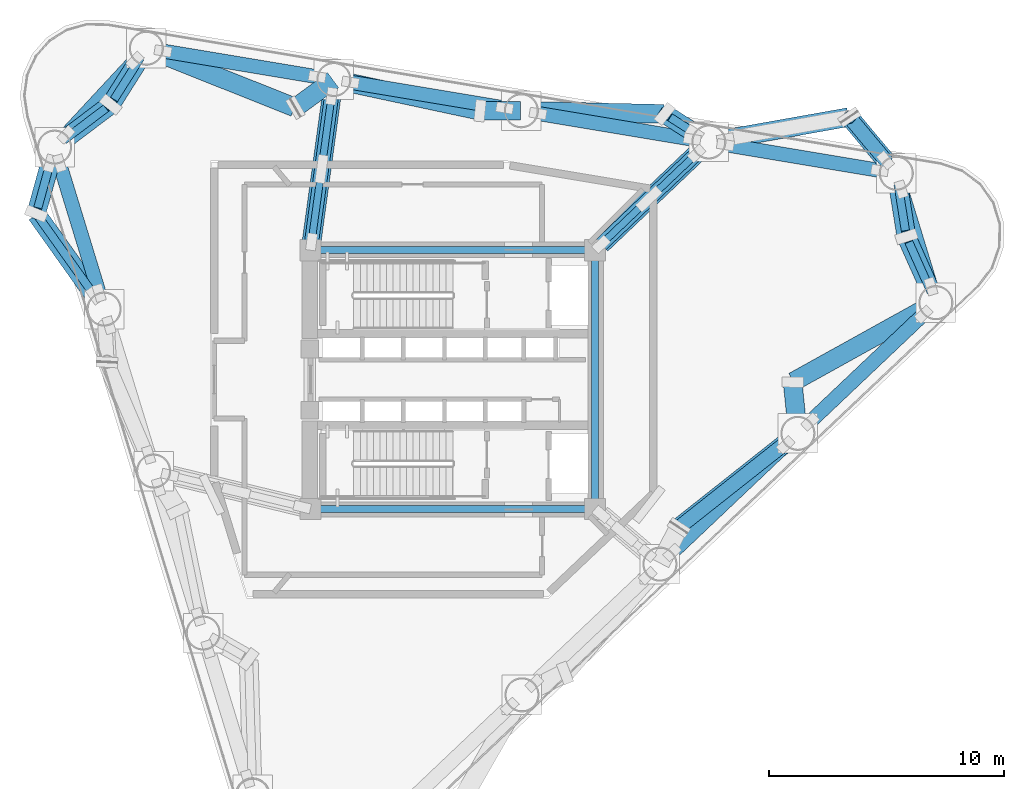
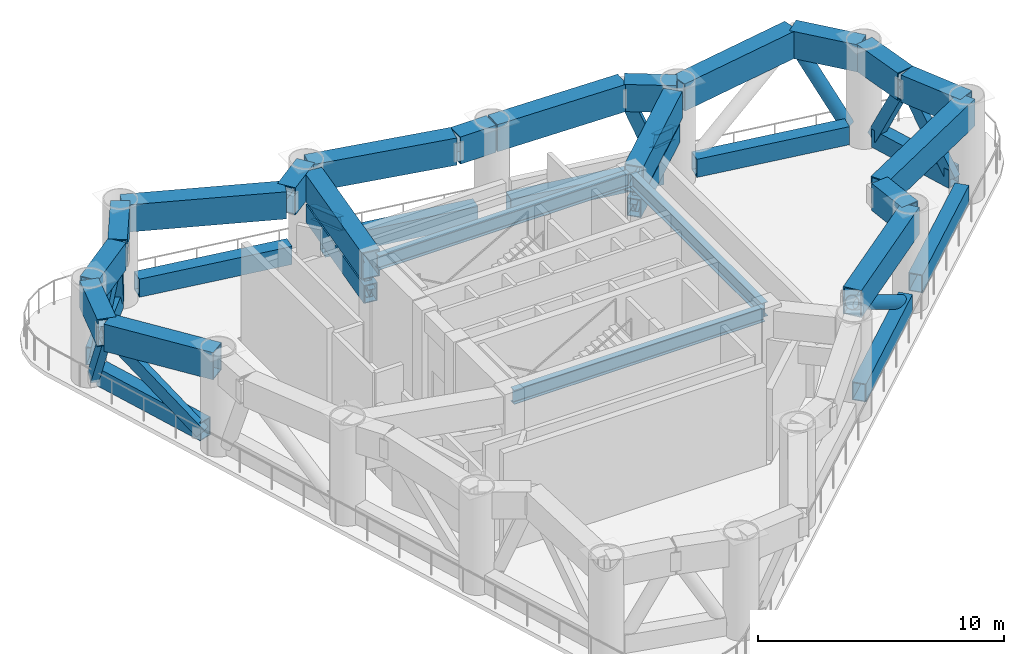
# One storey, part 2 of 8: 24 members, 22 beams.
"""IFC4 building model written with IfcOpenShell, lengths in metres."""

from ifc_helpers import new_model, si_unit, direction, frame, origin, origin_2d, place, context, subcontext, project, spatial, hollow_rectangle, hollow_circle, i_section, extrude, source, transform, mapped, material, material_profile, profile_set, type_object, element, save


model = new_model("IFC4")

# Units and contexts
model_context = context("Model", 3, precision=1e-05, world=origin(), true_north=direction((0.0, 1.0)))
body_context = subcontext(model_context, "Body", "Model", "MODEL_VIEW")
ifc_project = project(units=[si_unit("LENGTHUNIT", "METRE"), si_unit("AREAUNIT", "SQUARE_METRE"), si_unit("VOLUMEUNIT", "CUBIC_METRE"), si_unit("PLANEANGLEUNIT", "RADIAN"), si_unit("MASSUNIT", "GRAM", prefix="KILO")], contexts=[model_context])

# Site, building, storey
site_placement = place(None, origin())
site = spatial("IfcSite", under=ifc_project, at=site_placement, CompositionType="ELEMENT")
building_placement = place(site_placement, origin())
building = spatial("IfcBuilding", under=site, at=building_placement, Name="Yunling Apex Tower", CompositionType="ELEMENT")
storey_placement = place(building_placement, frame((0.0, 0.0, 119.89990234375)))
storey = spatial("IfcBuildingStorey", under=building, at=storey_placement, Name="RF3", CompositionType="ELEMENT", Elevation=119.89990234375)

# Beams
ifc_material_1 = material(Name="Steel Q355B", Category="steel")
ifc_material_profile_1 = material_profile(ifc_material_1, i_section(OverallWidth=0.300048828125, OverallDepth=0.699951171875, WebThickness=0.012939453125, FlangeThickness=0.02392578125, FilletRadius=0.02587890625, at=origin_2d()))
ifc_profile_set_1 = profile_set([ifc_material_profile_1], Name="Steel Q355B")
beam_type_1 = type_object("IfcBeamType", Name="BG-PRI-3", PredefinedType="USERDEFINED", material=ifc_profile_set_1)
shared_shape_1 = source(origin(), body_context, "Body", "SweptSolid", [
    extrude(i_section(OverallWidth=0.300048828125, OverallDepth=0.699951171875, WebThickness=0.012939453125, FlangeThickness=0.02392578125, FilletRadius=0.02587890625, at=origin_2d()), origin(), (0.0, 0.0, 1.0), 11.7998046875),
])
for number, where, z_axis, x_axis, name in (
    (1, (-5.89990234375, -5.5, 4.570068359375), (1.0, 0.0, 0.0), (0.0, 1.0, 0.0), "RF3 Core Ring Tie Beam 1"),
    (2, (5.89990234375, 5.5, 4.570068359375), (-1.0, 0.0, 0.0), (0.0, -1.0, 0.0), "RF3 Core Ring Tie Beam 3"),
):
    element("IfcBeam", number, at=place(storey_placement, frame(where, z_axis=z_axis, x_axis=x_axis)), inside=storey, type_object=beam_type_1, Name=name, ObjectType="GIRDER", PredefinedType="USERDEFINED", context=body_context, shape_type="MappedRepresentation", body=[
        mapped(shared_shape_1, transform((0.0, 0.0, 0.0), scale=1.0)),
    ])
shared_shape_2 = source(origin(), body_context, "Body", "SweptSolid", [
    extrude(i_section(OverallWidth=0.300048828125, OverallDepth=0.699951171875, WebThickness=0.012939453125, FlangeThickness=0.02392578125, FilletRadius=0.02587890625, at=origin_2d()), origin(), (0.0, 0.0, 1.0), 10.7001953125),
])
beam_1_placement = place(storey_placement, frame((6.050048828125, -5.35009765625, 4.570068359375), z_axis=(0.0, 1.0, 0.0), x_axis=(-1.0, 0.0, 0.0)))
element("IfcBeam", 3, at=beam_1_placement, inside=storey, type_object=beam_type_1, Name="RF3 Core Ring Tie Beam 2", ObjectType="GIRDER", PredefinedType="USERDEFINED", context=body_context, shape_type="MappedRepresentation", body=[
    mapped(shared_shape_2, transform((0.0, 0.0, 0.0), scale=1.0)),
])

# Members
ifc_material_profile_2 = material_profile(ifc_material_1, hollow_circle(Radius=0.304931640625, WallThickness=0.02392578125, at=origin_2d()))
ifc_profile_set_2 = profile_set([ifc_material_profile_2], Name="Steel Q355B")
member_type_1 = type_object("IfcMemberType", Name="BR-PER-1", PredefinedType="BRACE", material=ifc_profile_set_2)
shared_shape_3 = source(origin(), body_context, "Body", "SweptSolid", [
    extrude(hollow_circle(Radius=0.304931640625, WallThickness=0.02392578125, at=origin_2d()), origin(), (0.0, 0.0, 1.0), 4.395263671875),
])
member_1_placement = place(storey_placement, frame((18.39697265625, 9.32177734375, 0.550048828125), z_axis=(-0.34717074726, 0.41554949764, 0.840708681565), x_axis=(-0.767421881123, -0.641142461839, 0.0)))
element("IfcMember", 4, at=member_1_placement, inside=storey, type_object=member_type_1, Name="RF3 Belt-Truss Diagonal 6-1", PredefinedType="BRACE", context=body_context, shape_type="MappedRepresentation", body=[
    mapped(shared_shape_3, transform((0.0, 0.0, 0.0), scale=1.0)),
])
ifc_material_2 = material(Name="Steel Q390GJC", Category="steel")
ifc_material_profile_3 = material_profile(ifc_material_2, hollow_rectangle(XDim=0.60009765625, YDim=0.89990234375, WallThickness=0.0419921875, at=origin_2d()))
ifc_profile_set_3 = profile_set([ifc_material_profile_3], Name="Steel Q390GJC")
member_type_2 = type_object("IfcMemberType", Name="BT-CHD-1", PredefinedType="CHORD", material=ifc_profile_set_3)
shared_shape_4 = source(origin(), body_context, "Body", "SweptSolid", [
    extrude(hollow_rectangle(XDim=0.60009765625, YDim=0.89990234375, WallThickness=0.0419921875, at=origin_2d()), origin(), (0.0, 0.0, 1.0), 6.645751953125),
])
for number, where, z_axis, x_axis, name in (
    (5, (9.32861328125, -7.3515625, 0.550048828125), (0.725844556289, 0.68785876465, 0.0), (-0.68785876465, 0.725844556289, 0.0), "RF3 Belt-Truss Bottom Chord 3"),
    (6, (15.193115234375, -1.7939453125, 0.550048828125), (0.725861937572, 0.687840423052, 0.0), (-0.687840423052, 0.725861937572, 0.0), "RF3 Belt-Truss Bottom Chord 4"),
    (7, (18.14794921875, 8.890869140625, 0.550048828125), (-0.986400873023, 0.164357286727, 0.0), (-0.164357286727, -0.986400873023, 0.0), "RF3 Belt-Truss Bottom Chord 6"),
    (8, (10.177978515625, 10.21875, 0.550048828125), (-0.986394916676, 0.164393030134, 0.0), (-0.164393030134, -0.986394916676, 0.0), "RF3 Belt-Truss Bottom Chord 7"),
    (9, (-5.76171875, 12.874755859375, 0.550048828125), (-0.986394916676, 0.164393030134, 0.0), (-0.164393030134, -0.986394916676, 0.0), "RF3 Belt-Truss Bottom Chord 9"),
):
    element("IfcMember", number, at=place(storey_placement, frame(where, z_axis=z_axis, x_axis=x_axis)), inside=storey, type_object=member_type_2, Name=name, PredefinedType="CHORD", context=body_context, shape_type="MappedRepresentation", body=[
        mapped(shared_shape_4, transform((0.0, 0.0, 0.0), scale=1.0)),
    ])
shared_shape_5 = source(origin(), body_context, "Body", "SweptSolid", [
    extrude(hollow_rectangle(XDim=0.60009765625, YDim=0.89990234375, WallThickness=0.0419921875, at=origin_2d()), origin(), (0.0, 0.0, 1.0), 4.31982421875),
])
member_2_placement = place(storey_placement, frame((20.327880859375, 3.956298828125, 0.550048828125), z_axis=(-0.29240949282, 0.956293202166, 0.0), x_axis=(-0.956293202166, -0.29240949282, 0.0)))
element("IfcMember", 10, at=member_2_placement, inside=storey, type_object=member_type_2, Name="RF3 Belt-Truss Bottom Chord 5", PredefinedType="CHORD", context=body_context, shape_type="MappedRepresentation", body=[
    mapped(shared_shape_5, transform((0.0, 0.0, 0.0), scale=1.0)),
])
shared_shape_6 = source(origin(), body_context, "Body", "SweptSolid", [
    extrude(hollow_rectangle(XDim=0.60009765625, YDim=0.89990234375, WallThickness=0.0419921875, at=origin_2d()), origin(), (0.0, 0.0, 1.0), 6.64599609375),
])
member_3_placement = place(storey_placement, frame((2.208251953125, 11.546875, 0.550048828125), z_axis=(-0.986401865332, 0.164351331204, 0.0), x_axis=(-0.164351331204, -0.986401865332, 0.0)))
element("IfcMember", 11, at=member_3_placement, inside=storey, type_object=member_type_2, Name="RF3 Belt-Truss Bottom Chord 8", PredefinedType="CHORD", context=body_context, shape_type="MappedRepresentation", body=[
    mapped(shared_shape_6, transform((0.0, 0.0, 0.0), scale=1.0)),
])
shared_shape_7 = source(origin(), body_context, "Body", "SweptSolid", [
    extrude(hollow_rectangle(XDim=0.60009765625, YDim=0.89990234375, WallThickness=0.0419921875, at=origin_2d()), origin(), (0.0, 0.0, 1.0), 4.301025390625),
])
member_4_placement = place(storey_placement, frame((-13.51220703125, 13.559814453125, 0.550048828125), z_axis=(-0.680631783643, -0.732625671878, 0.0), x_axis=(0.732625671878, -0.680631783643, 0.0)))
element("IfcMember", 12, at=member_4_placement, inside=storey, type_object=member_type_2, Name="RF3 Belt-Truss Bottom Chord 10", PredefinedType="CHORD", context=body_context, shape_type="MappedRepresentation", body=[
    mapped(shared_shape_7, transform((0.0, 0.0, 0.0), scale=1.0)),
])
shared_shape_8 = source(origin(), body_context, "Body", "SweptSolid", [
    extrude(hollow_rectangle(XDim=0.60009765625, YDim=0.89990234375, WallThickness=0.0419921875, at=origin_2d()), origin(), (0.0, 0.0, 1.0), 5.76611328125),
])
member_5_placement = place(storey_placement, frame((-16.718017578125, 9.197509765625, 0.550048828125), z_axis=(0.292401396878, -0.956295677656, 0.0), x_axis=(0.956295677656, 0.292401396878, 0.0)))
element("IfcMember", 13, at=member_5_placement, inside=storey, type_object=member_type_2, Name="RF3 Belt-Truss Bottom Chord 11", PredefinedType="CHORD", context=body_context, shape_type="MappedRepresentation", body=[
    mapped(shared_shape_8, transform((0.0, 0.0, 0.0), scale=1.0)),
])

# Beams
ifc_material_profile_4 = material_profile(ifc_material_2, hollow_rectangle(XDim=0.800048828125, YDim=1.35009765625, WallThickness=0.050048828125, at=origin_2d()))
ifc_profile_set_4 = profile_set([ifc_material_profile_4], Name="Steel Q390GJC")
beam_type_2 = type_object("IfcBeamType", Name="BTRNG-1", PredefinedType="USERDEFINED", material=ifc_profile_set_4)
shared_shape_9 = source(origin(), body_context, "Body", "SweptSolid", [
    extrude(hollow_rectangle(XDim=0.800048828125, YDim=1.35009765625, WallThickness=0.050048828125, at=origin_2d()), origin(), (0.0, 0.0, 1.0), 6.372802734375),
])
beam_2_placement = place(storey_placement, frame((9.64208984375, -6.264404296875, 4.2451171875), z_axis=(0.784455033676, 0.62018569811, 0.0), x_axis=(-0.62018569811, 0.784455033676, 0.0)))
element("IfcBeam", 14, at=beam_2_placement, inside=storey, type_object=beam_type_2, Name="RF3 Panel-Split Box Ring Transfer Girder 12", ObjectType="GIRDER", PredefinedType="USERDEFINED", context=body_context, shape_type="MappedRepresentation", body=[
    mapped(shared_shape_9, transform((0.0, 0.0, 0.0), scale=1.0)),
])
shared_shape_10 = source(origin(), body_context, "Body", "SweptSolid", [
    extrude(hollow_rectangle(XDim=0.800048828125, YDim=1.35009765625, WallThickness=0.050048828125, at=origin_2d()), origin(), (0.0, 0.0, 1.0), 2.112060546875),
])
beam_3_placement = place(storey_placement, frame((14.668701171875, -2.247314453125, 4.2451171875), z_axis=(-0.102650681004, 0.994717466263, 0.0), x_axis=(-0.994717466263, -0.102650681004, 0.0)))
element("IfcBeam", 15, at=beam_3_placement, inside=storey, type_object=beam_type_2, Name="RF3 Panel-Split Box Ring Transfer Girder 13", ObjectType="GIRDER", PredefinedType="USERDEFINED", context=body_context, shape_type="MappedRepresentation", body=[
    mapped(shared_shape_10, transform((0.0, 0.0, 0.0), scale=1.0)),
])
shared_shape_11 = source(origin(), body_context, "Body", "SweptSolid", [
    extrude(hollow_rectangle(XDim=0.800048828125, YDim=1.35009765625, WallThickness=0.050048828125, at=origin_2d()), origin(), (0.0, 0.0, 1.0), 6.883544921875),
])
beam_4_placement = place(storey_placement, frame((14.48291015625, -0.08740234375, 4.2451171875), z_axis=(0.874508370858, 0.485010421847, 0.0), x_axis=(-0.485010421847, 0.874508370858, 0.0)))
element("IfcBeam", 16, at=beam_4_placement, inside=storey, type_object=beam_type_2, Name="RF3 Panel-Split Box Ring Transfer Girder 14", ObjectType="GIRDER", PredefinedType="USERDEFINED", context=body_context, shape_type="MappedRepresentation", body=[
    mapped(shared_shape_11, transform((0.0, 0.0, 0.0), scale=1.0)),
])
shared_shape_12 = source(origin(), body_context, "Body", "SweptSolid", [
    extrude(hollow_rectangle(XDim=0.800048828125, YDim=1.35009765625, WallThickness=0.050048828125, at=origin_2d()), origin(), (0.0, 0.0, 1.0), 2.992431640625),
])
beam_5_placement = place(storey_placement, frame((20.521240234375, 3.306884765625, 4.2451171875), z_axis=(-0.40759131672, 0.913164453171, 0.0), x_axis=(-0.913164453171, -0.40759131672, 0.0)))
element("IfcBeam", 17, at=beam_5_placement, inside=storey, type_object=beam_type_2, Name="RF3 Panel-Split Box Ring Transfer Girder 15", ObjectType="GIRDER", PredefinedType="USERDEFINED", context=body_context, shape_type="MappedRepresentation", body=[
    mapped(shared_shape_12, transform((0.0, 0.0, 0.0), scale=1.0)),
])
shared_shape_13 = source(origin(), body_context, "Body", "SweptSolid", [
    extrude(hollow_rectangle(XDim=0.800048828125, YDim=1.35009765625, WallThickness=0.050048828125, at=origin_2d()), origin(), (0.0, 0.0, 1.0), 2.65087890625),
])
beam_6_placement = place(storey_placement, frame((19.27880859375, 6.115478515625, 4.2451171875), z_axis=(-0.157390632171, 0.98753642409, 0.0), x_axis=(-0.98753642409, -0.157390632171, 0.0)))
element("IfcBeam", 18, at=beam_6_placement, inside=storey, type_object=beam_type_2, Name="RF3 Panel-Split Box Ring Transfer Girder 16", ObjectType="GIRDER", PredefinedType="USERDEFINED", context=body_context, shape_type="MappedRepresentation", body=[
    mapped(shared_shape_13, transform((0.0, 0.0, 0.0), scale=1.0)),
])
shared_shape_14 = source(origin(), body_context, "Body", "SweptSolid", [
    extrude(hollow_rectangle(XDim=0.800048828125, YDim=1.35009765625, WallThickness=0.050048828125, at=origin_2d()), origin(), (0.0, 0.0, 1.0), 3.034912109375),
])
beam_7_placement = place(storey_placement, frame((18.82958984375, 8.8037109375, 4.2451171875), z_axis=(-0.641046445551, 0.767502087715, 0.0), x_axis=(-0.767502087715, -0.641046445551, 0.0)))
element("IfcBeam", 19, at=beam_7_placement, inside=storey, type_object=beam_type_2, Name="RF3 Panel-Split Box Ring Transfer Girder 17", ObjectType="GIRDER", PredefinedType="USERDEFINED", context=body_context, shape_type="MappedRepresentation", body=[
    mapped(shared_shape_14, transform((0.0, 0.0, 0.0), scale=1.0)),
])
shared_shape_15 = source(origin(), body_context, "Body", "SweptSolid", [
    extrude(hollow_rectangle(XDim=0.800048828125, YDim=1.35009765625, WallThickness=0.050048828125, at=origin_2d()), origin(), (0.0, 0.0, 1.0), 5.98681640625),
])
beam_8_placement = place(storey_placement, frame((16.819091796875, 11.15673828125, 4.2451171875), z_axis=(-0.984535010115, -0.175187938676, 0.0), x_axis=(0.175187938676, -0.984535010115, 0.0)))
element("IfcBeam", 20, at=beam_8_placement, inside=storey, type_object=beam_type_2, Name="RF3 Panel-Split Box Ring Transfer Girder 18", ObjectType="GIRDER", PredefinedType="USERDEFINED", context=body_context, shape_type="MappedRepresentation", body=[
    mapped(shared_shape_15, transform((0.0, 0.0, 0.0), scale=1.0)),
])
shared_shape_16 = source(origin(), body_context, "Body", "SweptSolid", [
    extrude(hollow_rectangle(XDim=0.800048828125, YDim=1.35009765625, WallThickness=0.050048828125, at=origin_2d()), origin(), (0.0, 0.0, 1.0), 2.1435546875),
])
beam_9_placement = place(storey_placement, frame((10.8515625, 10.12255859375, 4.2451171875), z_axis=(-0.843586445795, 0.536993397046, 0.0), x_axis=(-0.536993397046, -0.843586445795, 0.0)))
element("IfcBeam", 21, at=beam_9_placement, inside=storey, type_object=beam_type_2, Name="RF3 Panel-Split Box Ring Transfer Girder 19", ObjectType="GIRDER", PredefinedType="USERDEFINED", context=body_context, shape_type="MappedRepresentation", body=[
    mapped(shared_shape_16, transform((0.0, 0.0, 0.0), scale=1.0)),
])
shared_shape_17 = source(origin(), body_context, "Body", "SweptSolid", [
    extrude(hollow_rectangle(XDim=0.800048828125, YDim=1.35009765625, WallThickness=0.050048828125, at=origin_2d()), origin(), (0.0, 0.0, 1.0), 6.015625),
])
beam_10_placement = place(storey_placement, frame((8.969482421875, 11.296142578125, 4.2451171875), z_axis=(-0.999759823138, 0.021915657404, 0.0), x_axis=(-0.021915657404, -0.999759823138, 0.0)))
element("IfcBeam", 22, at=beam_10_placement, inside=storey, type_object=beam_type_2, Name="RF3 Panel-Split Box Ring Transfer Girder 20", ObjectType="GIRDER", PredefinedType="USERDEFINED", context=body_context, shape_type="MappedRepresentation", body=[
    mapped(shared_shape_17, transform((0.0, 0.0, 0.0), scale=1.0)),
])
shared_shape_18 = source(origin(), body_context, "Body", "SweptSolid", [
    extrude(hollow_rectangle(XDim=0.800048828125, YDim=1.35009765625, WallThickness=0.050048828125, at=origin_2d()), origin(), (0.0, 0.0, 1.0), 1.675048828125),
])
beam_11_placement = place(storey_placement, frame((2.87548828125, 11.428955078125, 4.2451171875), z_axis=(-0.99999932021, -0.001166009993, 0.0), x_axis=(0.001166009993, -0.99999932021, 0.0)))
element("IfcBeam", 23, at=beam_11_placement, inside=storey, type_object=beam_type_2, Name="RF3 Panel-Split Box Ring Transfer Girder 21", ObjectType="GIRDER", PredefinedType="USERDEFINED", context=body_context, shape_type="MappedRepresentation", body=[
    mapped(shared_shape_18, transform((0.0, 0.0, 0.0), scale=1.0)),
])
shared_shape_19 = source(origin(), body_context, "Body", "SweptSolid", [
    extrude(hollow_rectangle(XDim=0.800048828125, YDim=1.35009765625, WallThickness=0.050048828125, at=origin_2d()), origin(), (0.0, 0.0, 1.0), 6.275634765625),
])
beam_12_placement = place(storey_placement, frame((1.121337890625, 11.435302734375, 4.2451171875), z_axis=(-0.977860446051, 0.209258089565, 0.0), x_axis=(-0.209258089565, -0.977860446051, 0.0)))
element("IfcBeam", 24, at=beam_12_placement, inside=storey, type_object=beam_type_2, Name="RF3 Panel-Split Box Ring Transfer Girder 22", ObjectType="GIRDER", PredefinedType="USERDEFINED", context=body_context, shape_type="MappedRepresentation", body=[
    mapped(shared_shape_19, transform((0.0, 0.0, 0.0), scale=1.0)),
])
shared_shape_20 = source(origin(), body_context, "Body", "SweptSolid", [
    extrude(hollow_rectangle(XDim=0.800048828125, YDim=1.35009765625, WallThickness=0.050048828125, at=origin_2d()), origin(), (0.0, 0.0, 1.0), 1.9462890625),
])
beam_13_placement = place(storey_placement, frame((-5.0869140625, 12.7333984375, 4.2451171875), z_axis=(-0.806277369885, -0.591537659673, 0.0), x_axis=(0.591537659673, -0.806277369885, 0.0)))
element("IfcBeam", 25, at=beam_13_placement, inside=storey, type_object=beam_type_2, Name="RF3 Panel-Split Box Ring Transfer Girder 23", ObjectType="GIRDER", PredefinedType="USERDEFINED", context=body_context, shape_type="MappedRepresentation", body=[
    mapped(shared_shape_20, transform((0.0, 0.0, 0.0), scale=1.0)),
])
shared_shape_21 = source(origin(), body_context, "Body", "SweptSolid", [
    extrude(hollow_rectangle(XDim=0.800048828125, YDim=1.35009765625, WallThickness=0.050048828125, at=origin_2d()), origin(), (0.0, 0.0, 1.0), 6.740966796875),
])
beam_14_placement = place(storey_placement, frame((-6.7255859375, 11.5732421875, 4.2451171875), z_axis=(-0.928860843848, 0.370428849802, 0.0), x_axis=(-0.370428849802, -0.928860843848, 0.0)))
element("IfcBeam", 26, at=beam_14_placement, inside=storey, type_object=beam_type_2, Name="RF3 Panel-Split Box Ring Transfer Girder 24", ObjectType="GIRDER", PredefinedType="USERDEFINED", context=body_context, shape_type="MappedRepresentation", body=[
    mapped(shared_shape_21, transform((0.0, 0.0, 0.0), scale=1.0)),
])
shared_shape_22 = source(origin(), body_context, "Body", "SweptSolid", [
    extrude(hollow_rectangle(XDim=0.800048828125, YDim=1.35009765625, WallThickness=0.050048828125, at=origin_2d()), origin(), (0.0, 0.0, 1.0), 2.7529296875),
])
beam_15_placement = place(storey_placement, frame((-13.045654296875, 14.05126953125, 4.2451171875), z_axis=(-0.534129782481, -0.845402493175, 0.0), x_axis=(0.845402493175, -0.534129782481, 0.0)))
element("IfcBeam", 27, at=beam_15_placement, inside=storey, type_object=beam_type_2, Name="RF3 Panel-Split Box Ring Transfer Girder 25", ObjectType="GIRDER", PredefinedType="USERDEFINED", context=body_context, shape_type="MappedRepresentation", body=[
    mapped(shared_shape_22, transform((0.0, 0.0, 0.0), scale=1.0)),
])
shared_shape_23 = source(origin(), body_context, "Body", "SweptSolid", [
    extrude(hollow_rectangle(XDim=0.800048828125, YDim=1.35009765625, WallThickness=0.050048828125, at=origin_2d()), origin(), (0.0, 0.0, 1.0), 2.916259765625),
])
beam_16_placement = place(storey_placement, frame((-14.5693359375, 11.666015625, 4.2451171875), z_axis=(-0.797733979198, -0.603009534281, 0.0), x_axis=(0.603009534281, -0.797733979198, 0.0)))
element("IfcBeam", 28, at=beam_16_placement, inside=storey, type_object=beam_type_2, Name="RF3 Panel-Split Box Ring Transfer Girder 26", ObjectType="GIRDER", PredefinedType="USERDEFINED", context=body_context, shape_type="MappedRepresentation", body=[
    mapped(shared_shape_23, transform((0.0, 0.0, 0.0), scale=1.0)),
])
shared_shape_24 = source(origin(), body_context, "Body", "SweptSolid", [
    extrude(hollow_rectangle(XDim=0.800048828125, YDim=1.35009765625, WallThickness=0.050048828125, at=origin_2d()), origin(), (0.0, 0.0, 1.0), 2.854248046875),
])
beam_17_placement = place(storey_placement, frame((-16.938232421875, 9.8447265625, 4.2451171875), z_axis=(-0.266192121791, -0.963919993722, 0.0), x_axis=(0.963919993722, -0.266192121791, 0.0)))
element("IfcBeam", 29, at=beam_17_placement, inside=storey, type_object=beam_type_2, Name="RF3 Panel-Split Box Ring Transfer Girder 27", ObjectType="GIRDER", PredefinedType="USERDEFINED", context=body_context, shape_type="MappedRepresentation", body=[
    mapped(shared_shape_24, transform((0.0, 0.0, 0.0), scale=1.0)),
])
shared_shape_25 = source(origin(), body_context, "Body", "SweptSolid", [
    extrude(hollow_rectangle(XDim=0.800048828125, YDim=1.35009765625, WallThickness=0.050048828125, at=origin_2d()), origin(), (0.0, 0.0, 1.0), 4.89892578125),
])
beam_18_placement = place(storey_placement, frame((-17.685302734375, 7.022216796875, 4.2451171875), z_axis=(0.579643671131, -0.814870059898, 0.0), x_axis=(0.814870059898, 0.579643671131, 0.0)))
element("IfcBeam", 30, at=beam_18_placement, inside=storey, type_object=beam_type_2, Name="RF3 Panel-Split Box Ring Transfer Girder 28", ObjectType="GIRDER", PredefinedType="USERDEFINED", context=body_context, shape_type="MappedRepresentation", body=[
    mapped(shared_shape_25, transform((0.0, 0.0, 0.0), scale=1.0)),
])

# Members
shared_shape_26 = source(origin(), body_context, "Body", "SweptSolid", [
    extrude(hollow_circle(Radius=0.304931640625, WallThickness=0.02392578125, at=origin_2d()), origin(), (0.0, 0.0, 1.0), 6.80810546875),
])
member_6_placement = place(storey_placement, frame((14.11181640625, -2.73046875, 0.550048828125), z_axis=(-0.658856402909, -0.520902852482, 0.542741613129), x_axis=(0.620196482321, -0.78444650762, 0.0)))
element("IfcMember", 31, at=member_6_placement, inside=storey, type_object=member_type_1, Name="RF3 Belt-Truss Diagonal 3-1", PredefinedType="BRACE", context=body_context, shape_type="MappedRepresentation", body=[
    mapped(shared_shape_26, transform((0.0, 0.0, 0.0), scale=1.0)),
])
ifc_material_profile_5 = material_profile(ifc_material_1, hollow_rectangle(XDim=0.35009765625, YDim=0.550048828125, WallThickness=0.02587890625, at=origin_2d()))
ifc_profile_set_5 = profile_set([ifc_material_profile_5], Name="Steel Q355B")
member_type_3 = type_object("IfcMemberType", Name="BR-BLT-1", PredefinedType="BRACE", material=ifc_profile_set_5)
shared_shape_27 = source(origin(), body_context, "Body", "SweptSolid", [
    extrude(hollow_rectangle(XDim=0.35009765625, YDim=0.550048828125, WallThickness=0.02587890625, at=origin_2d()), origin(), (0.0, 0.0, 1.0), 4.19970703125),
])
member_7_placement = place(storey_placement, frame((18.9677734375, 8.06689453125, 0.550048828125), z_axis=(0.074816216045, -0.469359851088, 0.879831724822), x_axis=(0.987532816027, 0.15741326904, 0.0)))
element("IfcMember", 32, at=member_7_placement, inside=storey, type_object=member_type_3, Name="RF3 Belt-Truss Diagonal 5-1", PredefinedType="BRACE", context=body_context, shape_type="MappedRepresentation", body=[
    mapped(shared_shape_27, transform((0.0, 0.0, 0.0), scale=1.0)),
])
shared_shape_28 = source(origin(), body_context, "Body", "SweptSolid", [
    extrude(hollow_rectangle(XDim=0.35009765625, YDim=0.550048828125, WallThickness=0.02587890625, at=origin_2d()), origin(), (0.0, 0.0, 1.0), 4.372314453125),
])
member_8_placement = place(storey_placement, frame((20.24609375, 3.92333984375, 0.550048828125), z_axis=(-0.217884675279, 0.488146548255, 0.845126745349), x_axis=(-0.913164265603, -0.407591736946, 0.0)))
element("IfcMember", 33, at=member_8_placement, inside=storey, type_object=member_type_3, Name="RF3 Belt-Truss Diagonal 5-2", PredefinedType="BRACE", context=body_context, shape_type="MappedRepresentation", body=[
    mapped(shared_shape_28, transform((0.0, 0.0, 0.0), scale=1.0)),
])
shared_shape_29 = source(origin(), body_context, "Body", "SweptSolid", [
    extrude(hollow_rectangle(XDim=0.35009765625, YDim=0.550048828125, WallThickness=0.02587890625, at=origin_2d()), origin(), (0.0, 0.0, 1.0), 3.983642578125),
])
member_9_placement = place(storey_placement, frame((10.281982421875, 10.485107421875, 0.550048828125), z_axis=(-0.315196732812, 0.200652168623, 0.927571952385), x_axis=(-0.537013457856, -0.84357367555, 0.0)))
element("IfcMember", 34, at=member_9_placement, inside=storey, type_object=member_type_3, Name="RF3 Belt-Truss Diagonal 7-1", PredefinedType="BRACE", context=body_context, shape_type="MappedRepresentation", body=[
    mapped(shared_shape_29, transform((0.0, 0.0, 0.0), scale=1.0)),
])
shared_shape_30 = source(origin(), body_context, "Body", "SweptSolid", [
    extrude(hollow_rectangle(XDim=0.35009765625, YDim=0.550048828125, WallThickness=0.02587890625, at=origin_2d()), origin(), (0.0, 0.0, 1.0), 4.2490234375),
])
member_10_placement = place(storey_placement, frame((-13.40625, 13.48046875, 0.550048828125), z_axis=(-0.263724929314, -0.417420830384, 0.869602789795), x_axis=(0.845405938167, -0.534124329826, 0.0)))
element("IfcMember", 35, at=member_10_placement, inside=storey, type_object=member_type_3, Name="RF3 Belt-Truss Diagonal 10-1", PredefinedType="BRACE", context=body_context, shape_type="MappedRepresentation", body=[
    mapped(shared_shape_30, transform((0.0, 0.0, 0.0), scale=1.0)),
])
shared_shape_31 = source(origin(), body_context, "Body", "SweptSolid", [
    extrude(hollow_rectangle(XDim=0.35009765625, YDim=0.550048828125, WallThickness=0.02587890625, at=origin_2d()), origin(), (0.0, 0.0, 1.0), 4.33203125),
])
member_11_placement = place(storey_placement, frame((-16.357177734375, 10.314453125, 0.550048828125), z_axis=(0.416370421314, 0.314757553199, 0.852973243988), x_axis=(-0.60303622146, 0.797713805577, 0.0)))
element("IfcMember", 36, at=member_11_placement, inside=storey, type_object=member_type_3, Name="RF3 Belt-Truss Diagonal 10-2", PredefinedType="BRACE", context=body_context, shape_type="MappedRepresentation", body=[
    mapped(shared_shape_31, transform((0.0, 0.0, 0.0), scale=1.0)),
])
shared_shape_32 = source(origin(), body_context, "Body", "SweptSolid", [
    extrude(hollow_rectangle(XDim=0.35009765625, YDim=0.550048828125, WallThickness=0.02587890625, at=origin_2d()), origin(), (0.0, 0.0, 1.0), 4.300048828125),
])
member_12_placement = place(storey_placement, frame((-17.117919921875, 9.194091796875, 0.550048828125), z_axis=(-0.136094730861, -0.492995639576, 0.859321548427), x_axis=(0.963944516328, -0.266103305958, 0.0)))
element("IfcMember", 37, at=member_12_placement, inside=storey, type_object=member_type_3, Name="RF3 Belt-Truss Diagonal 11-1", PredefinedType="BRACE", context=body_context, shape_type="MappedRepresentation", body=[
    mapped(shared_shape_32, transform((0.0, 0.0, 0.0), scale=1.0)),
])
shared_shape_33 = source(origin(), body_context, "Body", "SweptSolid", [
    extrude(hollow_rectangle(XDim=0.35009765625, YDim=0.550048828125, WallThickness=0.02587890625, at=origin_2d()), origin(), (0.0, 0.0, 1.0), 5.62744140625),
])
member_13_placement = place(storey_placement, frame((-15.23681640625, 3.580078125, 0.550048828125), z_axis=(-0.437185305578, 0.614584403971, 0.656623955535), x_axis=(-0.814862946265, -0.579653671432, 0.0)))
element("IfcMember", 38, at=member_13_placement, inside=storey, type_object=member_type_3, Name="RF3 Belt-Truss Diagonal 11-2", PredefinedType="BRACE", context=body_context, shape_type="MappedRepresentation", body=[
    mapped(shared_shape_33, transform((0.0, 0.0, 0.0), scale=1.0)),
])

# Beam
shared_shape_34 = source(origin(), body_context, "Body", "SweptSolid", [
    extrude(hollow_rectangle(XDim=0.800048828125, YDim=1.35009765625, WallThickness=0.050048828125, at=origin_2d()), origin(), (0.0, 0.0, 1.0), 5.599365234375),
])
beam_19_placement = place(storey_placement, frame((6.310791015625, 5.748291015625, 4.2451171875), z_axis=(0.724438562052, 0.689339372016, 0.0), x_axis=(-0.689339372016, 0.724438562052, 0.0)))
element("IfcBeam", 39, at=beam_19_placement, inside=storey, type_object=beam_type_2, Name="RF3 Radial Outrigger Top Girder 3", ObjectType="GIRDER", PredefinedType="USERDEFINED", context=body_context, shape_type="MappedRepresentation", body=[
    mapped(shared_shape_34, transform((0.0, 0.0, 0.0), scale=1.0)),
])

# Members
shared_shape_35 = source(origin(), body_context, "Body", "SweptSolid", [
    extrude(hollow_rectangle(XDim=0.60009765625, YDim=0.89990234375, WallThickness=0.0419921875, at=origin_2d()), origin(), (0.0, 0.0, 1.0), 5.599365234375),
])
member_14_placement = place(storey_placement, frame((6.310791015625, 5.748291015625, 2.820068359375), z_axis=(0.724438562052, 0.689339372016, 0.0), x_axis=(-0.689339372016, 0.724438562052, 0.0)))
element("IfcMember", 40, at=member_14_placement, inside=storey, type_object=member_type_2, Name="RF3 Radial Outrigger Lower Chord 3", PredefinedType="CHORD", context=body_context, shape_type="MappedRepresentation", body=[
    mapped(shared_shape_35, transform((0.0, 0.0, 0.0), scale=1.0)),
])
ifc_material_profile_6 = material_profile(ifc_material_1, i_section(OverallWidth=0.300048828125, OverallDepth=0.590087890625, WebThickness=0.011962890625, FlangeThickness=0.02001953125, FilletRadius=0.02392578125, at=origin_2d()))
ifc_profile_set_6 = profile_set([ifc_material_profile_6], Name="Steel Q355B")
member_type_4 = type_object("IfcMemberType", Name="BR-OUT-1", PredefinedType="BRACE", material=ifc_profile_set_6)
shared_shape_36 = source(origin(), body_context, "Body", "SweptSolid", [
    extrude(i_section(OverallWidth=0.300048828125, OverallDepth=0.590087890625, WebThickness=0.011962890625, FlangeThickness=0.02001953125, FilletRadius=0.02392578125, at=origin_2d()), origin(), (0.0, 0.0, 1.0), 3.1416015625),
])
member_15_placement = place(storey_placement, frame((6.310791015625, 5.748291015625, 2.820068359375), z_axis=(0.645638359364, 0.614320080738, 0.453609906549), x_axis=(-0.689317598511, 0.724459280004, 0.0)))
element("IfcMember", 41, at=member_15_placement, inside=storey, type_object=member_type_4, Name="RF3 Outrigger Inner Diagonal 3A", PredefinedType="BRACE", context=body_context, shape_type="MappedRepresentation", body=[
    mapped(shared_shape_36, transform((0.0, 0.0, 0.0), scale=1.0)),
])
shared_shape_37 = source(origin(), body_context, "Body", "SweptSolid", [
    extrude(i_section(OverallWidth=0.300048828125, OverallDepth=0.590087890625, WebThickness=0.011962890625, FlangeThickness=0.02001953125, FilletRadius=0.02392578125, at=origin_2d()), origin(), (0.0, 0.0, 1.0), 3.141357421875),
])
member_16_placement = place(storey_placement, frame((8.339111328125, 7.67822265625, 4.2451171875), z_axis=(0.645593037618, 0.614350904343, -0.453632666496), x_axis=(-0.689361146274, 0.724417842138, 0.0)))
element("IfcMember", 42, at=member_16_placement, inside=storey, type_object=member_type_4, Name="RF3 Outrigger Outer Diagonal 3B", PredefinedType="BRACE", context=body_context, shape_type="MappedRepresentation", body=[
    mapped(shared_shape_37, transform((0.0, 0.0, 0.0), scale=1.0)),
])

# Beam
shared_shape_38 = source(origin(), body_context, "Body", "SweptSolid", [
    extrude(hollow_rectangle(XDim=0.800048828125, YDim=1.35009765625, WallThickness=0.050048828125, at=origin_2d()), origin(), (0.0, 0.0, 1.0), 6.25),
])
beam_20_placement = place(storey_placement, frame((-6.001220703125, 5.856689453125, 4.2451171875), z_axis=(0.135939424522, 0.990717150786, 0.0), x_axis=(-0.990717150786, 0.135939424522, 0.0)))
element("IfcBeam", 43, at=beam_20_placement, inside=storey, type_object=beam_type_2, Name="RF3 Radial Outrigger Top Girder 4", ObjectType="GIRDER", PredefinedType="USERDEFINED", context=body_context, shape_type="MappedRepresentation", body=[
    mapped(shared_shape_38, transform((0.0, 0.0, 0.0), scale=1.0)),
])

# Members
shared_shape_39 = source(origin(), body_context, "Body", "SweptSolid", [
    extrude(hollow_rectangle(XDim=0.60009765625, YDim=0.89990234375, WallThickness=0.0419921875, at=origin_2d()), origin(), (0.0, 0.0, 1.0), 6.25),
])
member_17_placement = place(storey_placement, frame((-6.001220703125, 5.856689453125, 2.820068359375), z_axis=(0.135939424522, 0.990717150786, 0.0), x_axis=(-0.990717150786, 0.135939424522, 0.0)))
element("IfcMember", 44, at=member_17_placement, inside=storey, type_object=member_type_2, Name="RF3 Radial Outrigger Lower Chord 4", PredefinedType="CHORD", context=body_context, shape_type="MappedRepresentation", body=[
    mapped(shared_shape_39, transform((0.0, 0.0, 0.0), scale=1.0)),
])
shared_shape_40 = source(origin(), body_context, "Body", "SweptSolid", [
    extrude(i_section(OverallWidth=0.300048828125, OverallDepth=0.590087890625, WebThickness=0.011962890625, FlangeThickness=0.02001953125, FilletRadius=0.02392578125, at=origin_2d()), origin(), (0.0, 0.0, 1.0), 3.4345703125),
])
for number, where, z_axis, x_axis, name in (
    (45, (-6.001220703125, 5.856689453125, 2.820068359375), (0.123685800601, 0.901413584727, 0.414916102362), (-0.990717150786, 0.135939424522, 0.0), "RF3 Outrigger Inner Diagonal 4A"),
    (46, (-5.576416015625, 8.95263671875, 4.2451171875), (0.123685800601, 0.901413584727, -0.414916102362), (-0.990717150786, 0.135939424522, 0.0), "RF3 Outrigger Outer Diagonal 4B"),
):
    element("IfcMember", number, at=place(storey_placement, frame(where, z_axis=z_axis, x_axis=x_axis)), inside=storey, type_object=member_type_4, Name=name, PredefinedType="BRACE", context=body_context, shape_type="MappedRepresentation", body=[
        mapped(shared_shape_40, transform((0.0, 0.0, 0.0), scale=1.0)),
    ])

save(model, "model.ifc")
